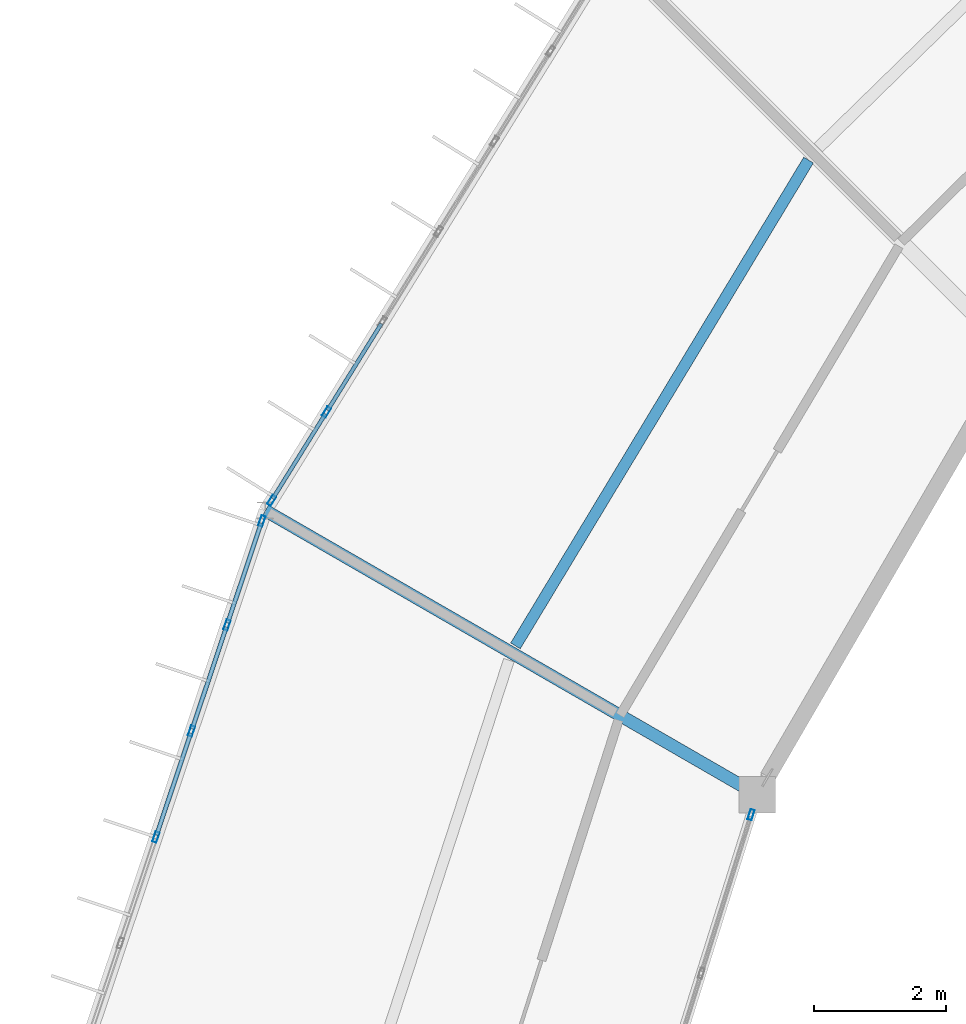
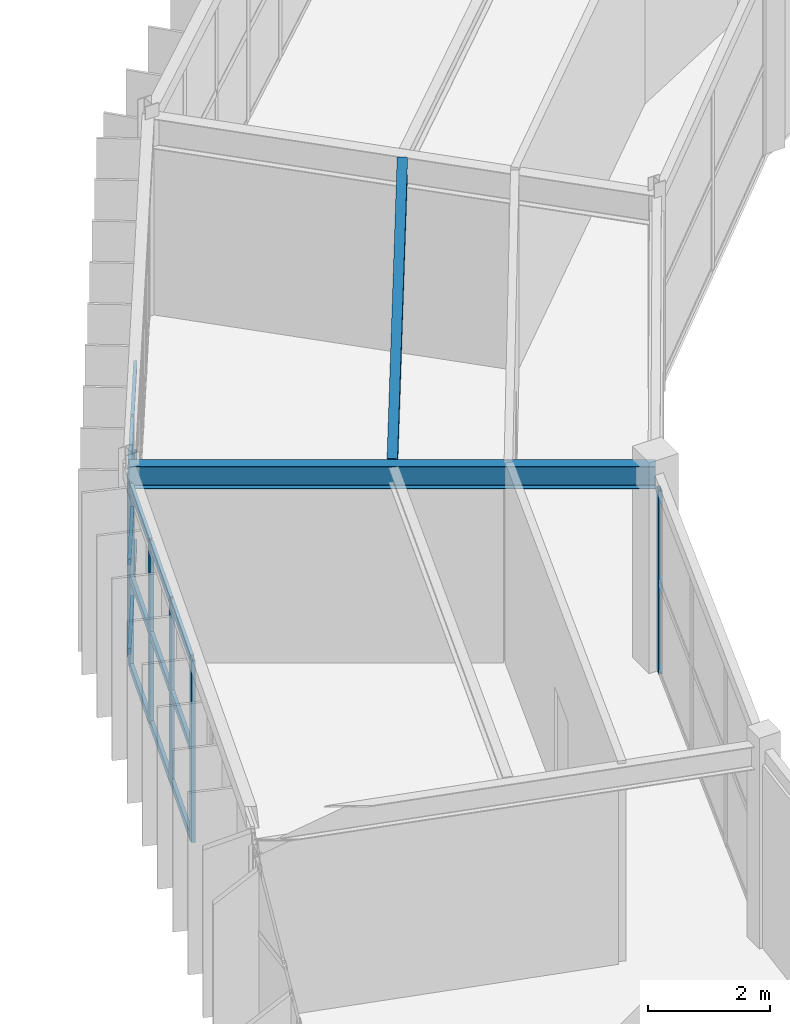
# One storey, part 63 of 130: 22 members, 2 beams, 3 elements without a shape of their own.
"""IFC4 building model written with IfcOpenShell, lengths in metres."""

from ifc_helpers import new_model, si_unit, direction, frame, origin, origin_2d, place, context, subcontext, project, spatial, hollow_rectangle, i_section, extrude, material, material_profile, profile_set, type_object, element, aggregate, save


model = new_model("IFC4")

# Units and contexts
model_context = context("Model", 3, precision=1e-05, world=origin(), true_north=direction((0.0, 1.0)))
body_context = subcontext(model_context, "Body", "Model", "MODEL_VIEW")
ifc_project = project(units=[si_unit("LENGTHUNIT", "METRE"), si_unit("AREAUNIT", "SQUARE_METRE"), si_unit("VOLUMEUNIT", "CUBIC_METRE"), si_unit("PLANEANGLEUNIT", "RADIAN"), si_unit("MASSUNIT", "GRAM", prefix="KILO")], contexts=[model_context])

# Site, building, storey
site_placement = place(None, origin())
site = spatial("IfcSite", under=ifc_project, at=site_placement, CompositionType="ELEMENT")
building_placement = place(site_placement, origin())
building = spatial("IfcBuilding", under=site, at=building_placement, Name="Karori Crest Natural Sciences Institute", CompositionType="ELEMENT")
storey_placement = place(building_placement, frame((0.0, 0.0, 17.5)))
storey = spatial("IfcBuildingStorey", under=building, at=storey_placement, Name="L04", CompositionType="ELEMENT", Elevation=17.5)

# Beams
ifc_material_1 = material(Name="Structural steel AS/NZS 3679.1 Grade 350", Category="steel")
ifc_material_profile_1 = material_profile(ifc_material_1, i_section(OverallWidth=0.18994140625, OverallDepth=0.4541015625, WebThickness=0.008544921875, FlangeThickness=0.0126953125, FilletRadius=0.010986328125, at=origin_2d()), Name="460UB67.1")
ifc_profile_set_1 = profile_set([ifc_material_profile_1], Name="Structural steel AS/NZS 3679.1 Grade 350")
beam_type_1 = type_object("IfcBeamType", Name="BT-28", PredefinedType="BEAM", material=ifc_profile_set_1)
beam_1_placement = place(storey_placement, frame((45.26904296875, 66.0, 3.712890625), z_axis=(-0.866021068297, 0.500007509209, 0.0), x_axis=(-0.500007509209, -0.866021068297, 0.0)))
element("IfcBeam", 1, at=beam_1_placement, inside=storey, type_object=beam_type_1, Name="Beam B-0491", PredefinedType="BEAM", context=body_context, shape_type="SweptSolid", body=[
    extrude(i_section(OverallWidth=0.18994140625, OverallDepth=0.4541015625, WebThickness=0.008544921875, FlangeThickness=0.0126953125, FilletRadius=0.010986328125, at=origin_2d()), origin(), (0.0, 0.0, 1.0), 8.599853515625),
])
ifc_material_profile_2 = material_profile(ifc_material_1, i_section(OverallWidth=0.1708984375, OverallDepth=0.35595703125, WebThickness=0.00732421875, FlangeThickness=0.011474609375, FilletRadius=0.010986328125, at=origin_2d()), Name="360UB50.7")
ifc_profile_set_2 = profile_set([ifc_material_profile_2], Name="Structural steel AS/NZS 3679.1 Grade 350")
beam_type_2 = type_object("IfcBeamType", Name="BT-30", PredefinedType="BEAM", material=ifc_profile_set_2)
beam_2_placement = place(storey_placement, frame((46.044189453125, 75.606689453125, 3.761962890625), z_axis=(-0.516601017309, -0.856226248672, 0.0), x_axis=(0.856226248672, -0.516601017309, 0.0)))
element("IfcBeam", 2, at=beam_2_placement, inside=storey, type_object=beam_type_2, Name="Beam B-0488", PredefinedType="BEAM", context=body_context, shape_type="SweptSolid", body=[
    extrude(i_section(OverallWidth=0.1708984375, OverallDepth=0.35595703125, WebThickness=0.00732421875, FlangeThickness=0.011474609375, FilletRadius=0.010986328125, at=origin_2d()), origin(), (0.0, 0.0, 1.0), 8.5888671875),
])

# Curtain wall, members
ifc_material_2 = material(Name="Anodised architectural aluminium 6063-T6", Category="aluminium")
curtain_wall_type_1 = type_object("IfcCurtainWallType", Name="CWT-10", PredefinedType="NOTDEFINED", material=ifc_material_2)
curtain_wall_1_placement = place(storey_placement, origin())
curtain_wall_1 = element("IfcCurtainWall", 3, at=curtain_wall_1_placement, inside=storey, type_object=curtain_wall_type_1, Name="Curtain wall CW-0150", PredefinedType="NOTDEFINED")
ifc_material_profile_3 = material_profile(ifc_material_2, hollow_rectangle(XDim=0.06494140625, YDim=0.159912109375, WallThickness=0.00390625, at=origin_2d()), Name="CWM160x65x4")
ifc_profile_set_3 = profile_set([ifc_material_profile_3], Name="Anodised architectural aluminium 6063-T6")
member_type_1 = type_object("IfcMemberType", Name="CWM-01", PredefinedType="MULLION", material=ifc_profile_set_3)
member_1_placement = place(storey_placement, frame((37.916259765625, 70.452880859375, 0.0), z_axis=(0.0, 0.0, 1.0), x_axis=(-0.849664350398, 0.527323896352, 0.0)))
member_1 = element("IfcMember", 4, at=member_1_placement, type_object=member_type_1, Name="CW-0150 mullion 1", PredefinedType="MULLION", context=body_context, shape_type="SweptSolid", body=[
    extrude(hollow_rectangle(XDim=0.06494140625, YDim=0.159912109375, WallThickness=0.00390625, at=origin_2d()), origin(), (0.0, 0.0, 1.0), 3.625),
])
member_2_placement = place(storey_placement, frame((38.746826171875, 71.791259765625, 0.0), z_axis=(0.0, 0.0, 1.0), x_axis=(-0.849664350398, 0.527323896352, 0.0)))
member_2 = element("IfcMember", 5, at=member_2_placement, type_object=member_type_1, Name="CW-0150 mullion 2", PredefinedType="MULLION", context=body_context, shape_type="SweptSolid", body=[
    extrude(hollow_rectangle(XDim=0.06494140625, YDim=0.159912109375, WallThickness=0.00390625, at=origin_2d()), origin(), (0.0, 0.0, 1.0), 3.625),
])

curtain_wall_type_2 = type_object("IfcCurtainWallType", Name="CWT-01", PredefinedType="NOTDEFINED", material=ifc_material_2)
curtain_wall_2_placement = place(storey_placement, origin())
curtain_wall_2 = element("IfcCurtainWall", 6, at=curtain_wall_2_placement, inside=storey, type_object=curtain_wall_type_2, Name="Curtain wall CW-0151", PredefinedType="NOTDEFINED")
member_3_placement = place(storey_placement, frame((36.1650390625, 65.35693359375, 0.0), z_axis=(0.0, 0.0, 1.0), x_axis=(-0.94819805026, 0.317679803392, 0.0)))
member_3 = element("IfcMember", 7, at=member_3_placement, type_object=member_type_1, Name="CW-0151 mullion 4", PredefinedType="MULLION", context=body_context, shape_type="SweptSolid", body=[
    extrude(hollow_rectangle(XDim=0.06494140625, YDim=0.159912109375, WallThickness=0.00390625, at=origin_2d()), origin(), (0.0, 0.0, 1.0), 3.625),
])
member_4_placement = place(storey_placement, frame((36.703125, 66.962890625, 0.0), z_axis=(0.0, 0.0, 1.0), x_axis=(-0.94819805026, 0.317679803392, 0.0)))
member_4 = element("IfcMember", 8, at=member_4_placement, type_object=member_type_1, Name="CW-0151 mullion 5", PredefinedType="MULLION", context=body_context, shape_type="SweptSolid", body=[
    extrude(hollow_rectangle(XDim=0.06494140625, YDim=0.159912109375, WallThickness=0.00390625, at=origin_2d()), origin(), (0.0, 0.0, 1.0), 3.625),
])
member_5_placement = place(storey_placement, frame((37.2412109375, 68.56884765625, 0.0), z_axis=(0.0, 0.0, 1.0), x_axis=(-0.94819805026, 0.317679803392, 0.0)))
member_5 = element("IfcMember", 9, at=member_5_placement, type_object=member_type_1, Name="CW-0151 mullion 6", PredefinedType="MULLION", context=body_context, shape_type="SweptSolid", body=[
    extrude(hollow_rectangle(XDim=0.06494140625, YDim=0.159912109375, WallThickness=0.00390625, at=origin_2d()), origin(), (0.0, 0.0, 1.0), 3.625),
])
member_6_placement = place(storey_placement, frame((37.76904296875, 70.14404296875, 0.0), z_axis=(0.0, 0.0, 1.0), x_axis=(-0.94819805026, 0.317679803392, 0.0)))
member_6 = element("IfcMember", 10, at=member_6_placement, type_object=member_type_1, Name="CW-0151 mullion 7", PredefinedType="MULLION", context=body_context, shape_type="SweptSolid", body=[
    extrude(hollow_rectangle(XDim=0.06494140625, YDim=0.159912109375, WallThickness=0.00390625, at=origin_2d()), origin(), (0.0, 0.0, 1.0), 3.625),
])

# Curtain wall, member
curtain_wall_type_3 = type_object("IfcCurtainWallType", Name="CWT-11", PredefinedType="NOTDEFINED", material=ifc_material_2)
curtain_wall_3_placement = place(storey_placement, origin())
curtain_wall_3 = element("IfcCurtainWall", 11, at=curtain_wall_3_placement, inside=storey, type_object=curtain_wall_type_3, Name="Curtain wall CW-0152", PredefinedType="NOTDEFINED")
member_7_placement = place(storey_placement, frame((45.173583984375, 65.69580078125, 0.0), z_axis=(0.0, 0.0, 1.0), x_axis=(0.954104067778, -0.299475254154, 0.0)))
member_7 = element("IfcMember", 12, at=member_7_placement, type_object=member_type_1, Name="CW-0152 mullion 1", PredefinedType="MULLION", context=body_context, shape_type="SweptSolid", body=[
    extrude(hollow_rectangle(XDim=0.06494140625, YDim=0.159912109375, WallThickness=0.00390625, at=origin_2d()), origin(), (0.0, 0.0, 1.0), 3.64990234375),
])
aggregate(curtain_wall_3, [member_7])

# Member
ifc_material_profile_4 = material_profile(ifc_material_2, hollow_rectangle(XDim=0.06005859375, YDim=0.1201171875, WallThickness=0.00390625, at=origin_2d()), Name="CWT120x60x4")
ifc_profile_set_4 = profile_set([ifc_material_profile_4], Name="Anodised architectural aluminium 6063-T6")
member_type_2 = type_object("IfcMemberType", Name="CWT-TR1", PredefinedType="USERDEFINED", material=ifc_profile_set_4)
member_8_placement = place(storey_placement, frame((37.933349609375, 70.48046875, 0.030029296875), z_axis=(0.52732262058, 0.849665142173, 0.0), x_axis=(-0.849665142173, 0.52732262058, 0.0)))
member_8 = element("IfcMember", 13, at=member_8_placement, type_object=member_type_2, Name="CW-0150 transom 1.1", ObjectType="TRANSOM", PredefinedType="USERDEFINED", context=body_context, shape_type="SweptSolid", body=[
    extrude(hollow_rectangle(XDim=0.06005859375, YDim=0.1201171875, WallThickness=0.00390625, at=origin_2d()), origin(), (0.0, 0.0, 1.0), 1.51025390625),
])

member_9_placement = place(storey_placement, frame((37.933349609375, 70.48046875, 1.8125), z_axis=(0.52732262058, 0.849665142173, 0.0), x_axis=(-0.849665142173, 0.52732262058, 0.0)))
member_9 = element("IfcMember", 14, at=member_9_placement, type_object=member_type_2, Name="CW-0150 transom 1.2", ObjectType="TRANSOM", PredefinedType="USERDEFINED", context=body_context, shape_type="SweptSolid", body=[
    extrude(hollow_rectangle(XDim=0.06005859375, YDim=0.1201171875, WallThickness=0.00390625, at=origin_2d()), origin(), (0.0, 0.0, 1.0), 1.51025390625),
])

member_10_placement = place(storey_placement, frame((37.933349609375, 70.48046875, 3.594970703125), z_axis=(0.52732262058, 0.849665142173, 0.0), x_axis=(-0.849665142173, 0.52732262058, 0.0)))
member_10 = element("IfcMember", 15, at=member_10_placement, type_object=member_type_2, Name="CW-0150 transom 1.3", ObjectType="TRANSOM", PredefinedType="USERDEFINED", context=body_context, shape_type="SweptSolid", body=[
    extrude(hollow_rectangle(XDim=0.06005859375, YDim=0.1201171875, WallThickness=0.00390625, at=origin_2d()), origin(), (0.0, 0.0, 1.0), 1.51025390625),
])

member_11_placement = place(storey_placement, frame((38.763916015625, 71.819091796875, 0.030029296875), z_axis=(0.527307708925, 0.849674396524, 0.0), x_axis=(-0.849674396524, 0.527307708925, 0.0)))
member_11 = element("IfcMember", 16, at=member_11_placement, type_object=member_type_2, Name="CW-0150 transom 2.1", ObjectType="TRANSOM", PredefinedType="USERDEFINED", context=body_context, shape_type="SweptSolid", body=[
    extrude(hollow_rectangle(XDim=0.06005859375, YDim=0.1201171875, WallThickness=0.00390625, at=origin_2d()), origin(), (0.0, 0.0, 1.0), 1.542724609375),
])

member_12_placement = place(storey_placement, frame((38.763916015625, 71.819091796875, 1.8125), z_axis=(0.527307708925, 0.849674396524, 0.0), x_axis=(-0.849674396524, 0.527307708925, 0.0)))
member_12 = element("IfcMember", 17, at=member_12_placement, type_object=member_type_2, Name="CW-0150 transom 2.2", ObjectType="TRANSOM", PredefinedType="USERDEFINED", context=body_context, shape_type="SweptSolid", body=[
    extrude(hollow_rectangle(XDim=0.06005859375, YDim=0.1201171875, WallThickness=0.00390625, at=origin_2d()), origin(), (0.0, 0.0, 1.0), 1.542724609375),
])

member_13_placement = place(storey_placement, frame((38.763916015625, 71.819091796875, 3.594970703125), z_axis=(0.527307708925, 0.849674396524, 0.0), x_axis=(-0.849674396524, 0.527307708925, 0.0)))
member_13 = element("IfcMember", 18, at=member_13_placement, type_object=member_type_2, Name="CW-0150 transom 2.3", ObjectType="TRANSOM", PredefinedType="USERDEFINED", context=body_context, shape_type="SweptSolid", body=[
    extrude(hollow_rectangle(XDim=0.06005859375, YDim=0.1201171875, WallThickness=0.00390625, at=origin_2d()), origin(), (0.0, 0.0, 1.0), 1.542724609375),
])

aggregate(curtain_wall_1, [member_1, member_2, member_8, member_9, member_10, member_11, member_12, member_13])

ifc_material_profile_5 = material_profile(ifc_material_2, hollow_rectangle(XDim=0.06494140625, YDim=0.14990234375, WallThickness=0.00390625, at=origin_2d()), Name="CWT150x65x4")
ifc_profile_set_5 = profile_set([ifc_material_profile_5], Name="Anodised architectural aluminium 6063-T6")
member_type_3 = type_object("IfcMemberType", Name="CWT-TR2", PredefinedType="USERDEFINED", material=ifc_profile_set_5)
member_14_placement = place(storey_placement, frame((36.175537109375, 65.3876953125, 0.032470703125), z_axis=(0.317621421426, 0.948217608279, 0.0), x_axis=(-0.948217608279, 0.317621421426, 0.0)))
member_14 = element("IfcMember", 19, at=member_14_placement, type_object=member_type_3, Name="CW-0151 transom 4.1", ObjectType="TRANSOM", PredefinedType="USERDEFINED", context=body_context, shape_type="SweptSolid", body=[
    extrude(hollow_rectangle(XDim=0.06494140625, YDim=0.14990234375, WallThickness=0.00390625, at=origin_2d()), origin(), (0.0, 0.0, 1.0), 1.628662109375),
])

member_15_placement = place(storey_placement, frame((36.175537109375, 65.3876953125, 1.8125), z_axis=(0.317621421426, 0.948217608279, 0.0), x_axis=(-0.948217608279, 0.317621421426, 0.0)))
member_15 = element("IfcMember", 20, at=member_15_placement, type_object=member_type_3, Name="CW-0151 transom 4.2", ObjectType="TRANSOM", PredefinedType="USERDEFINED", context=body_context, shape_type="SweptSolid", body=[
    extrude(hollow_rectangle(XDim=0.06494140625, YDim=0.14990234375, WallThickness=0.00390625, at=origin_2d()), origin(), (0.0, 0.0, 1.0), 1.628662109375),
])

member_16_placement = place(storey_placement, frame((36.175537109375, 65.3876953125, 3.592529296875), z_axis=(0.317621421426, 0.948217608279, 0.0), x_axis=(-0.948217608279, 0.317621421426, 0.0)))
member_16 = element("IfcMember", 21, at=member_16_placement, type_object=member_type_3, Name="CW-0151 transom 4.3", ObjectType="TRANSOM", PredefinedType="USERDEFINED", context=body_context, shape_type="SweptSolid", body=[
    extrude(hollow_rectangle(XDim=0.06494140625, YDim=0.14990234375, WallThickness=0.00390625, at=origin_2d()), origin(), (0.0, 0.0, 1.0), 1.628662109375),
])

member_17_placement = place(storey_placement, frame((36.71337890625, 66.99365234375, 0.032470703125), z_axis=(0.317756182308, 0.948172457207, 0.0), x_axis=(-0.948172457207, 0.317756182308, 0.0)))
member_17 = element("IfcMember", 22, at=member_17_placement, type_object=member_type_3, Name="CW-0151 transom 5.1", ObjectType="TRANSOM", PredefinedType="USERDEFINED", context=body_context, shape_type="SweptSolid", body=[
    extrude(hollow_rectangle(XDim=0.06494140625, YDim=0.14990234375, WallThickness=0.00390625, at=origin_2d()), origin(), (0.0, 0.0, 1.0), 1.62890625),
])

member_18_placement = place(storey_placement, frame((36.71337890625, 66.99365234375, 1.8125), z_axis=(0.317756182308, 0.948172457207, 0.0), x_axis=(-0.948172457207, 0.317756182308, 0.0)))
member_18 = element("IfcMember", 23, at=member_18_placement, type_object=member_type_3, Name="CW-0151 transom 5.2", ObjectType="TRANSOM", PredefinedType="USERDEFINED", context=body_context, shape_type="SweptSolid", body=[
    extrude(hollow_rectangle(XDim=0.06494140625, YDim=0.14990234375, WallThickness=0.00390625, at=origin_2d()), origin(), (0.0, 0.0, 1.0), 1.62890625),
])

member_19_placement = place(storey_placement, frame((36.71337890625, 66.99365234375, 3.592529296875), z_axis=(0.317756182308, 0.948172457207, 0.0), x_axis=(-0.948172457207, 0.317756182308, 0.0)))
member_19 = element("IfcMember", 24, at=member_19_placement, type_object=member_type_3, Name="CW-0151 transom 5.3", ObjectType="TRANSOM", PredefinedType="USERDEFINED", context=body_context, shape_type="SweptSolid", body=[
    extrude(hollow_rectangle(XDim=0.06494140625, YDim=0.14990234375, WallThickness=0.00390625, at=origin_2d()), origin(), (0.0, 0.0, 1.0), 1.62890625),
])

member_20_placement = place(storey_placement, frame((37.25146484375, 68.599609375, 0.032470703125), z_axis=(0.317649722808, 0.948208127786, 0.0), x_axis=(-0.948208127786, 0.317649722808, 0.0)))
member_20 = element("IfcMember", 25, at=member_20_placement, type_object=member_type_3, Name="CW-0151 transom 6.1", ObjectType="TRANSOM", PredefinedType="USERDEFINED", context=body_context, shape_type="SweptSolid", body=[
    extrude(hollow_rectangle(XDim=0.06494140625, YDim=0.14990234375, WallThickness=0.00390625, at=origin_2d()), origin(), (0.0, 0.0, 1.0), 1.596435546875),
])

member_21_placement = place(storey_placement, frame((37.25146484375, 68.599609375, 1.8125), z_axis=(0.317649722808, 0.948208127786, 0.0), x_axis=(-0.948208127786, 0.317649722808, 0.0)))
member_21 = element("IfcMember", 26, at=member_21_placement, type_object=member_type_3, Name="CW-0151 transom 6.2", ObjectType="TRANSOM", PredefinedType="USERDEFINED", context=body_context, shape_type="SweptSolid", body=[
    extrude(hollow_rectangle(XDim=0.06494140625, YDim=0.14990234375, WallThickness=0.00390625, at=origin_2d()), origin(), (0.0, 0.0, 1.0), 1.596435546875),
])

member_22_placement = place(storey_placement, frame((37.25146484375, 68.599609375, 3.592529296875), z_axis=(0.317649722808, 0.948208127786, 0.0), x_axis=(-0.948208127786, 0.317649722808, 0.0)))
member_22 = element("IfcMember", 27, at=member_22_placement, type_object=member_type_3, Name="CW-0151 transom 6.3", ObjectType="TRANSOM", PredefinedType="USERDEFINED", context=body_context, shape_type="SweptSolid", body=[
    extrude(hollow_rectangle(XDim=0.06494140625, YDim=0.14990234375, WallThickness=0.00390625, at=origin_2d()), origin(), (0.0, 0.0, 1.0), 1.596435546875),
])

aggregate(curtain_wall_2, [member_3, member_4, member_5, member_6, member_14, member_15, member_16, member_17, member_18, member_19, member_20, member_21, member_22])

save(model, "model.ifc")
